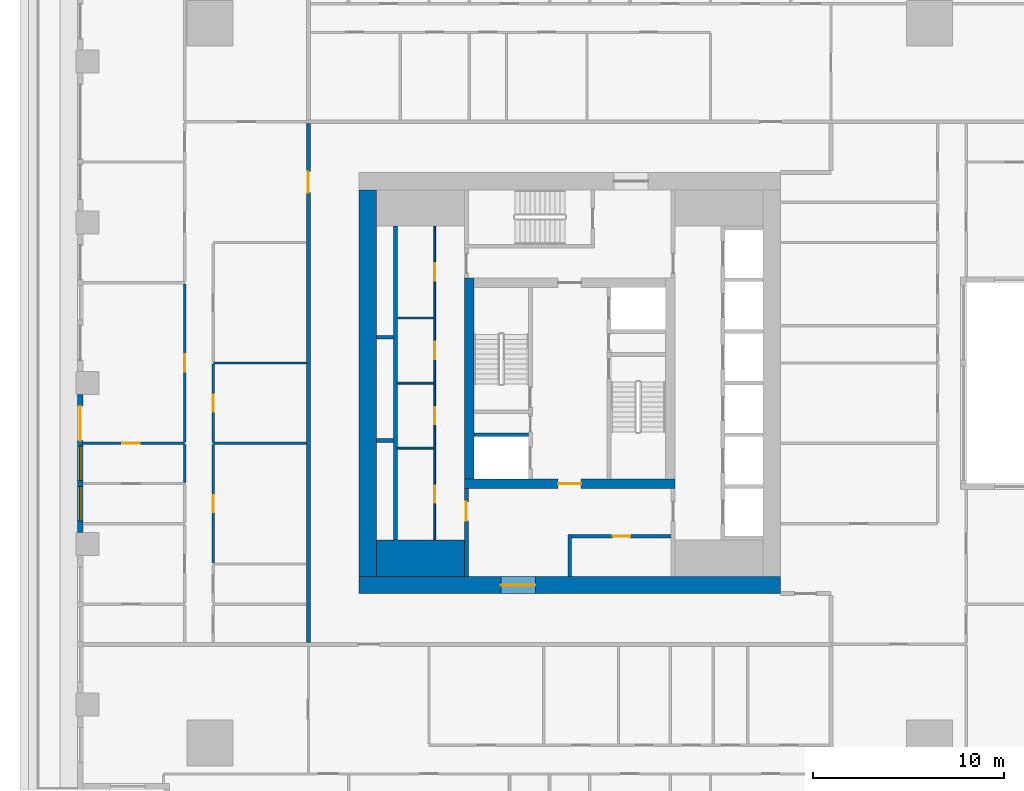
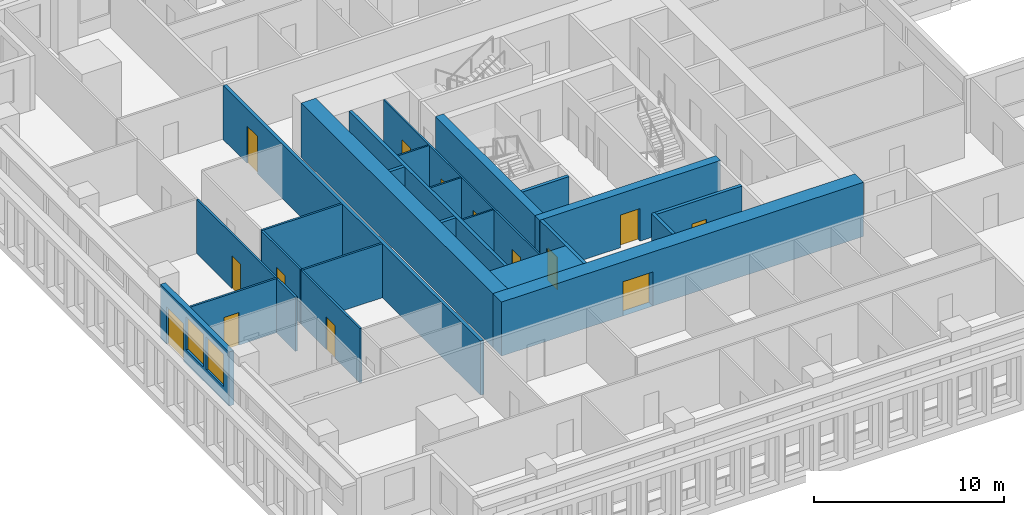
# One storey, part 3 of 15: 25 walls, 14 doors, 2 windows, 16 openings.
"""IFC4 building model written with IfcOpenShell, lengths in metres."""

from ifc_helpers import new_model, si_unit, direction, frame, frame_2d, origin, place, context, subcontext, project, spatial, rectangle, extrude, material, layer, layer_set, type_object, element, fill, save


model = new_model("IFC4")

# Units and contexts
model_context = context("Model", 3, precision=1e-05, world=origin(), true_north=direction((0.0, 1.0)))
body_context = subcontext(model_context, "Body", "Model", "MODEL_VIEW")
ifc_project = project(units=[si_unit("LENGTHUNIT", "METRE"), si_unit("AREAUNIT", "SQUARE_METRE"), si_unit("VOLUMEUNIT", "CUBIC_METRE"), si_unit("PLANEANGLEUNIT", "RADIAN"), si_unit("MASSUNIT", "GRAM", prefix="KILO")], contexts=[model_context])

# Site, building, storey
site_placement = place(None, origin())
site = spatial("IfcSite", under=ifc_project, at=site_placement, CompositionType="ELEMENT")
building_placement = place(site_placement, origin())
building = spatial("IfcBuilding", under=site, at=building_placement, Name="Khepri Terraces", CompositionType="ELEMENT")
storey_placement = place(building_placement, frame((0.0, 0.0, 200.10009765625)))
storey = spatial("IfcBuildingStorey", under=building, at=storey_placement, Name="L47", CompositionType="ELEMENT", Elevation=200.10009765625)

# Walls
ifc_material_1 = material(Name="Concrete C50/60", Category="concrete")
ifc_layer_1 = layer(ifc_material_1, 1.89990234375, Name="Concrete C50/60", Category="concrete")
ifc_layer_set_1 = layer_set([ifc_layer_1], Name="Concrete C50/60")
wall_type_1 = type_object("IfcWallType", Name="Core wall 1900 C50/60", PredefinedType="SHEAR", material=ifc_layer_set_1)
wall_1_placement = place(storey_placement, frame((-10.10009765625, -9.14990234375, 0.0), z_axis=(0.0, 0.0, 1.0), x_axis=(1.0, 0.0, 0.0)))
element("IfcWall", 1, at=wall_1_placement, inside=storey, type_object=wall_type_1, Name="Core wall PR01 L47", PredefinedType="SHEAR", context=body_context, shape_type="SweptSolid", body=[
    extrude(rectangle(XDim=4.60009765625, YDim=1.89990234375, at=frame_2d((2.300048828125, 0.0))), origin(), (0.0, 0.0, 1.0), 3.47998046875),
])
ifc_layer_2 = layer(ifc_material_1, 0.199951171875, Name="Concrete C50/60", Category="concrete")
ifc_layer_set_2 = layer_set([ifc_layer_2], Name="Concrete C50/60")
wall_type_2 = type_object("IfcWallType", Name="Core wall 200 C50/60", PredefinedType="SHEAR", material=ifc_layer_set_2)
wall_2_placement = place(storey_placement, frame((-9.10009765625, -8.199951171875, 0.0), z_axis=(0.0, 0.0, 1.0), x_axis=(0.0, 1.0, 0.0)))
element("IfcWall", 2, at=wall_2_placement, inside=storey, type_object=wall_type_2, Name="Core wall SH01 L47", PredefinedType="SHEAR", context=body_context, shape_type="SweptSolid", body=[
    extrude(rectangle(XDim=16.39990234375, YDim=0.199951171875, at=frame_2d((8.199951171875, 0.0))), origin(), (0.0, 0.0, 1.0), 3.47998046875),
])
wall_3_placement = place(storey_placement, frame((-10.10009765625, -3.0, 0.0), z_axis=(0.0, 0.0, 1.0), x_axis=(1.0, 0.0, 0.0)))
element("IfcWall", 3, at=wall_3_placement, inside=storey, type_object=wall_type_2, Name="Core wall SH06 L47", PredefinedType="SHEAR", context=body_context, shape_type="SweptSolid", body=[
    extrude(rectangle(XDim=0.900146484375, YDim=0.199951171875, at=frame_2d((0.4501953125, 0.0))), origin(), (0.0, 0.0, 1.0), 3.47998046875),
])
wall_4_placement = place(storey_placement, frame((-5.0, -2.699951171875, 0.0), z_axis=(0.0, 0.0, 1.0), x_axis=(1.0, 0.0, 0.0)))
element("IfcWall", 4, at=wall_4_placement, inside=storey, type_object=wall_type_2, Name="Core wall SH07 L47", PredefinedType="SHEAR", context=body_context, shape_type="SweptSolid", body=[
    extrude(rectangle(XDim=2.85009765625, YDim=0.199951171875, at=frame_2d((1.425048828125, 0.0))), origin(), (0.0, 0.0, 1.0), 3.47998046875),
])
wall_5_placement = place(storey_placement, frame((-10.10009765625, 2.39990234375, 0.0), z_axis=(0.0, 0.0, 1.0), x_axis=(1.0, 0.0, 0.0)))
element("IfcWall", 5, at=wall_5_placement, inside=storey, type_object=wall_type_2, Name="Core wall SH11 L47", PredefinedType="SHEAR", context=body_context, shape_type="SweptSolid", body=[
    extrude(rectangle(XDim=0.900146484375, YDim=0.199951171875, at=frame_2d((0.4501953125, 0.0))), origin(), (0.0, 0.0, 1.0), 3.47998046875),
])

# Wall, opening, door
ifc_layer_3 = layer(ifc_material_1, 0.5, Name="Concrete C50/60", Category="concrete")
ifc_layer_set_3 = layer_set([ifc_layer_3], Name="Concrete C50/60")
wall_type_3 = type_object("IfcWallType", Name="Core wall 500 C50/60", PredefinedType="SHEAR", material=ifc_layer_set_3)
wall_6_placement = place(storey_placement, frame((-5.5, -5.25, 0.0), z_axis=(0.0, 0.0, 1.0), x_axis=(1.0, 0.0, 0.0)))
wall_6 = element("IfcWall", 6, at=wall_6_placement, inside=storey, type_object=wall_type_3, Name="Core wall BX01 L47", PredefinedType="SHEAR", context=body_context, shape_type="SweptSolid", body=[
    extrude(rectangle(XDim=11.0, YDim=0.5, at=frame_2d((5.5, 0.0))), origin(), (0.0, 0.0, 1.0), 3.47998046875),
])
opening_1_placement = place(wall_6_placement, frame((4.89990234375, 0.0, 0.0)))
opening_1 = element("IfcOpeningElement", 7, at=opening_1_placement, cuts=wall_6, Name="Opening L47-C14", PredefinedType="OPENING", context=body_context, shape_type="SweptSolid", body=[
    extrude(rectangle(XDim=1.199951171875, YDim=2.10009765625, at=frame_2d((0.60009765625, 1.050048828125))), frame((0.0, 0.260009765625, 0.0), z_axis=(0.0, -1.0, 0.0), x_axis=(1.0, 0.0, 0.0)), (0.0, 0.0, 1.0), 0.52001953125),
])
ifc_material_2 = material(Name="Painted steel", Category="steel")
door_type_1 = type_object("IfcDoorType", Name="DR-CORE-FF-LOBBY-1200", OperationType="NOTDEFINED", PredefinedType="DOOR", material=ifc_material_2)
door_1_placement = place(opening_1_placement, origin())
door_1 = element("IfcDoor", 8, at=door_1_placement, inside=storey, type_object=door_type_1, Name="Firefighting lobby door L47-C14", OperationType="SINGLE_SWING_RIGHT", OverallHeight=2.10009765625, OverallWidth=1.199951171875, PredefinedType="DOOR", context=body_context, shape_type="SweptSolid", body=[
    extrude(rectangle(XDim=1.199951171875, YDim=2.10009765625, at=frame_2d((0.60009765625, 1.050048828125))), frame((0.0, 0.02490234375, 0.0), z_axis=(0.0, -1.0, 0.0), x_axis=(1.0, 0.0, 0.0)), (0.0, 0.0, 1.0), 0.050048828125),
])
fill(opening_1, door_1)

# Wall
wall_7_placement = place(storey_placement, frame((-5.25, -5.0, 0.0), z_axis=(0.0, 0.0, 1.0), x_axis=(0.0, 1.0, 0.0)))
element("IfcWall", 9, at=wall_7_placement, inside=storey, type_object=wall_type_3, Name="Core wall BX02 L47", PredefinedType="SHEAR", context=body_context, shape_type="SweptSolid", body=[
    extrude(rectangle(XDim=10.5, YDim=0.5, at=frame_2d((5.25, 0.0))), origin(), (0.0, 0.0, 1.0), 3.47998046875),
])

# Wall, opening, door
ifc_layer_4 = layer(ifc_material_1, 0.89990234375, Name="Concrete C50/60", Category="concrete")
ifc_layer_set_4 = layer_set([ifc_layer_4], Name="Concrete C50/60")
wall_type_4 = type_object("IfcWallType", Name="Core wall 900 C50/60", PredefinedType="SHEAR", material=ifc_layer_set_4)
wall_8_placement = place(storey_placement, frame((-11.0, -10.550048828125, 0.0), z_axis=(0.0, 0.0, 1.0), x_axis=(1.0, 0.0, 0.0)))
wall_8 = element("IfcWall", 10, at=wall_8_placement, inside=storey, type_object=wall_type_4, Name="Core wall OW-S L47", PredefinedType="SHEAR", context=body_context, shape_type="SweptSolid", body=[
    extrude(rectangle(XDim=22.0, YDim=0.89990234375, at=frame_2d((11.0, 0.0))), origin(), (0.0, 0.0, 1.0), 3.47998046875),
])
opening_2_placement = place(wall_8_placement, frame((7.39990234375, 0.0, 0.0)))
opening_2 = element("IfcOpeningElement", 11, at=opening_2_placement, cuts=wall_8, Name="Opening L47-C21", PredefinedType="OPENING", context=body_context, shape_type="SweptSolid", body=[
    extrude(rectangle(XDim=1.800048828125, YDim=2.199951171875, at=frame_2d((0.89990234375, 1.10009765625))), frame((0.0, 0.4599609375, 0.0), z_axis=(0.0, -1.0, 0.0), x_axis=(1.0, 0.0, 0.0)), (0.0, 0.0, 1.0), 0.919921875),
])
door_type_2 = type_object("IfcDoorType", Name="DR-CORE-ENTRANCE-1800", OperationType="NOTDEFINED", PredefinedType="DOOR", material=ifc_material_2)
door_2_placement = place(opening_2_placement, frame((1.800048828125, 0.0, 0.0), z_axis=(0.0, 0.0, 1.0), x_axis=(-1.0, 0.0, 0.0)))
door_2 = element("IfcDoor", 12, at=door_2_placement, inside=storey, type_object=door_type_2, Name="Core entrance door pair L47-C21", OperationType="DOUBLE_DOOR_SINGLE_SWING", OverallHeight=2.199951171875, OverallWidth=1.800048828125, PredefinedType="DOOR", context=body_context, shape_type="SweptSolid", body=[
    extrude(rectangle(XDim=1.800048828125, YDim=2.199951171875, at=frame_2d((0.89990234375, 1.10009765625))), frame((0.0, 0.02490234375, 0.0), z_axis=(0.0, -1.0, 0.0), x_axis=(1.0, 0.0, 0.0)), (0.0, 0.0, 1.0), 0.050048828125),
])
fill(opening_2, door_2)

# Wall
wall_9_placement = place(storey_placement, frame((-10.550048828125, -10.10009765625, 0.0), z_axis=(0.0, 0.0, 1.0), x_axis=(0.0, 1.0, 0.0)))
element("IfcWall", 13, at=wall_9_placement, inside=storey, type_object=wall_type_4, Name="Core wall OW-W L47", PredefinedType="SHEAR", context=body_context, shape_type="SweptSolid", body=[
    extrude(rectangle(XDim=20.2001953125, YDim=0.89990234375, at=frame_2d((10.10009765625, 0.0))), origin(), (0.0, 0.0, 1.0), 3.47998046875),
])

# Wall, openings, doors
ifc_material_3 = material(Name="Fire-rated gypsum board partition")
ifc_layer_5 = layer(ifc_material_3, 0.10009765625, Name="Fire-rated gypsum board partition")
ifc_layer_set_5 = layer_set([ifc_layer_5], Name="Fire-rated gypsum board partition")
wall_type_5 = type_object("IfcWallType", Name="WL-CORE-PART-100", PredefinedType="PARTITIONING", material=ifc_layer_set_5)
wall_10_placement = place(storey_placement, frame((-7.050048828125, -8.199951171875, 0.0), z_axis=(0.0, 0.0, 1.0), x_axis=(0.0, 1.0, 0.0)))
wall_10 = element("IfcWall", 14, at=wall_10_placement, inside=storey, type_object=wall_type_5, Name="Core partition PT04 L47", PredefinedType="PARTITIONING", context=body_context, shape_type="SweptSolid", body=[
    extrude(rectangle(XDim=16.39990234375, YDim=0.10009765625, at=frame_2d((8.199951171875, 0.0))), origin(), (0.0, 0.0, 1.0), 3.47998046875),
])
opening_3_placement = place(wall_10_placement, frame((1.949951171875, 0.0, 0.0)))
opening_3 = element("IfcOpeningElement", 15, at=opening_3_placement, cuts=wall_10, Name="Opening L47-C23", PredefinedType="OPENING", context=body_context, shape_type="SweptSolid", body=[
    extrude(rectangle(XDim=0.89990234375, YDim=2.10009765625, at=frame_2d((0.449951171875, 1.050048828125))), frame((0.0, 0.06005859375, 0.0), z_axis=(0.0, -1.0, 0.0), x_axis=(1.0, 0.0, 0.0)), (0.0, 0.0, 1.0), 0.1201171875),
])
opening_4_placement = place(wall_10_placement, frame((6.050048828125, 0.0, 0.0)))
opening_4 = element("IfcOpeningElement", 16, at=opening_4_placement, cuts=wall_10, Name="Opening L47-C24", PredefinedType="OPENING", context=body_context, shape_type="SweptSolid", body=[
    extrude(rectangle(XDim=0.89990234375, YDim=2.10009765625, at=frame_2d((0.449951171875, 1.050048828125))), frame((0.0, 0.06005859375, 0.0), z_axis=(0.0, -1.0, 0.0), x_axis=(1.0, 0.0, 0.0)), (0.0, 0.0, 1.0), 0.1201171875),
])
opening_5_placement = place(wall_10_placement, frame((9.449951171875, 0.0, 0.0)))
opening_5 = element("IfcOpeningElement", 17, at=opening_5_placement, cuts=wall_10, Name="Opening L47-C25", PredefinedType="OPENING", context=body_context, shape_type="SweptSolid", body=[
    extrude(rectangle(XDim=0.89990234375, YDim=2.10009765625, at=frame_2d((0.449951171875, 1.050048828125))), frame((0.0, 0.06005859375, 0.0), z_axis=(0.0, -1.0, 0.0), x_axis=(1.0, 0.0, 0.0)), (0.0, 0.0, 1.0), 0.1201171875),
])
opening_6_placement = place(wall_10_placement, frame((13.550048828125, 0.0, 0.0)))
opening_6 = element("IfcOpeningElement", 18, at=opening_6_placement, cuts=wall_10, Name="Opening L47-C26", PredefinedType="OPENING", context=body_context, shape_type="SweptSolid", body=[
    extrude(rectangle(XDim=0.89990234375, YDim=2.10009765625, at=frame_2d((0.449951171875, 1.050048828125))), frame((0.0, 0.06005859375, 0.0), z_axis=(0.0, -1.0, 0.0), x_axis=(1.0, 0.0, 0.0)), (0.0, 0.0, 1.0), 0.1201171875),
])
door_type_3 = type_object("IfcDoorType", Name="DR-CORE-SERVICE-900", OperationType="NOTDEFINED", PredefinedType="DOOR", material=ifc_material_2)
door_3_placement = place(opening_3_placement, origin())
door_3 = element("IfcDoor", 19, at=door_3_placement, inside=storey, type_object=door_type_3, Name="Service room door L47-C23", OperationType="SINGLE_SWING_LEFT", OverallHeight=2.10009765625, OverallWidth=0.89990234375, PredefinedType="DOOR", context=body_context, shape_type="SweptSolid", body=[
    extrude(rectangle(XDim=0.89990234375, YDim=2.10009765625, at=frame_2d((0.449951171875, 1.050048828125))), frame((0.0, 0.02490234375, 0.0), z_axis=(0.0, -1.0, 0.0), x_axis=(1.0, 0.0, 0.0)), (0.0, 0.0, 1.0), 0.050048828125),
])
fill(opening_3, door_3)
door_4_placement = place(opening_4_placement, origin())
door_4 = element("IfcDoor", 20, at=door_4_placement, inside=storey, type_object=door_type_3, Name="Service room door L47-C24", OperationType="SINGLE_SWING_LEFT", OverallHeight=2.10009765625, OverallWidth=0.89990234375, PredefinedType="DOOR", context=body_context, shape_type="SweptSolid", body=[
    extrude(rectangle(XDim=0.89990234375, YDim=2.10009765625, at=frame_2d((0.449951171875, 1.050048828125))), frame((0.0, 0.02490234375, 0.0), z_axis=(0.0, -1.0, 0.0), x_axis=(1.0, 0.0, 0.0)), (0.0, 0.0, 1.0), 0.050048828125),
])
fill(opening_4, door_4)
door_5_placement = place(opening_5_placement, origin())
door_5 = element("IfcDoor", 21, at=door_5_placement, inside=storey, type_object=door_type_3, Name="Service room door L47-C25", OperationType="SINGLE_SWING_RIGHT", OverallHeight=2.10009765625, OverallWidth=0.89990234375, PredefinedType="DOOR", context=body_context, shape_type="SweptSolid", body=[
    extrude(rectangle(XDim=0.89990234375, YDim=2.10009765625, at=frame_2d((0.449951171875, 1.050048828125))), frame((0.0, 0.02490234375, 0.0), z_axis=(0.0, -1.0, 0.0), x_axis=(1.0, 0.0, 0.0)), (0.0, 0.0, 1.0), 0.050048828125),
])
fill(opening_5, door_5)
door_6_placement = place(opening_6_placement, origin())
door_6 = element("IfcDoor", 22, at=door_6_placement, inside=storey, type_object=door_type_3, Name="Service room door L47-C26", OperationType="SINGLE_SWING_RIGHT", OverallHeight=2.10009765625, OverallWidth=0.89990234375, PredefinedType="DOOR", context=body_context, shape_type="SweptSolid", body=[
    extrude(rectangle(XDim=0.89990234375, YDim=2.10009765625, at=frame_2d((0.449951171875, 1.050048828125))), frame((0.0, 0.02490234375, 0.0), z_axis=(0.0, -1.0, 0.0), x_axis=(1.0, 0.0, 0.0)), (0.0, 0.0, 1.0), 0.050048828125),
])
fill(opening_6, door_6)

# Walls
for number, where, z_axis, x_axis, name in (
    (23, (-9.0, -3.39990234375, 0.0), (0.0, 0.0, 1.0), (1.0, 0.0, 0.0), "Core partition PT06 L47"),
    (24, (-9.0, 0.0, 0.0), (0.0, 0.0, 1.0), (1.0, 0.0, 0.0), "Core partition PT07 L47"),
    (25, (-9.0, 3.39990234375, 0.0), (0.0, 0.0, 1.0), (1.0, 0.0, 0.0), "Core partition PT08 L47"),
):
    element("IfcWall", number, at=place(storey_placement, frame(where, z_axis=z_axis, x_axis=x_axis)), inside=storey, type_object=wall_type_5, Name=name, PredefinedType="PARTITIONING", context=body_context, shape_type="SweptSolid", body=[
        extrude(rectangle(XDim=1.89990234375, YDim=0.10009765625, at=frame_2d((0.949951171875, 0.0))), origin(), (0.0, 0.0, 1.0), 3.47998046875),
    ])

# Wall, opening, door
ifc_layer_6 = layer(ifc_material_3, 0.199951171875, Name="Fire-rated gypsum board partition")
ifc_layer_set_6 = layer_set([ifc_layer_6], Name="Fire-rated gypsum board partition")
wall_type_6 = type_object("IfcWallType", Name="WL-CORE-PART-200", PredefinedType="PARTITIONING", material=ifc_layer_set_6)
wall_11_placement = place(storey_placement, frame((-5.39990234375, -10.10009765625, 0.0), z_axis=(0.0, 0.0, 1.0), x_axis=(0.0, 1.0, 0.0)))
wall_11 = element("IfcWall", 26, at=wall_11_placement, inside=storey, type_object=wall_type_6, Name="Core partition PT01 L47", PredefinedType="PARTITIONING", context=body_context, shape_type="SweptSolid", body=[
    extrude(rectangle(XDim=4.60009765625, YDim=0.199951171875, at=frame_2d((2.300048828125, 0.0))), origin(), (0.0, 0.0, 1.0), 3.47998046875),
])
opening_7_placement = place(wall_11_placement, frame((2.89990234375, 0.0, 0.0)))
opening_7 = element("IfcOpeningElement", 27, at=opening_7_placement, cuts=wall_11, Name="Opening L47-C18", PredefinedType="OPENING", context=body_context, shape_type="SweptSolid", body=[
    extrude(rectangle(XDim=1.0, YDim=2.10009765625, at=frame_2d((0.5, 1.050048828125))), frame((0.0, 0.10986328125, 0.0), z_axis=(0.0, -1.0, 0.0), x_axis=(1.0, 0.0, 0.0)), (0.0, 0.0, 1.0), 0.219970703125),
])
door_type_4 = type_object("IfcDoorType", Name="DR-CORE-LOBBY-1000", OperationType="NOTDEFINED", PredefinedType="DOOR", material=ifc_material_2)
door_7_placement = place(opening_7_placement, frame((1.0, 0.0, 0.0), z_axis=(0.0, 0.0, 1.0), x_axis=(-1.0, 0.0, 0.0)))
door_7 = element("IfcDoor", 28, at=door_7_placement, inside=storey, type_object=door_type_4, Name="Lobby door L47-C18", OperationType="SINGLE_SWING_LEFT", OverallHeight=2.10009765625, OverallWidth=1.0, PredefinedType="DOOR", context=body_context, shape_type="SweptSolid", body=[
    extrude(rectangle(XDim=1.0, YDim=2.10009765625, at=frame_2d((0.5, 1.050048828125))), frame((0.0, 0.02490234375, 0.0), z_axis=(0.0, -1.0, 0.0), x_axis=(1.0, 0.0, 0.0)), (0.0, 0.0, 1.0), 0.050048828125),
])
fill(opening_7, door_7)

# Wall
wall_12_placement = place(storey_placement, frame((0.0, -10.10009765625, 0.0), z_axis=(0.0, 0.0, 1.0), x_axis=(0.0, 1.0, 0.0)))
element("IfcWall", 29, at=wall_12_placement, inside=storey, type_object=wall_type_6, Name="Core partition PT02 L47", PredefinedType="PARTITIONING", context=body_context, shape_type="SweptSolid", body=[
    extrude(rectangle(XDim=2.2001953125, YDim=0.199951171875, at=frame_2d((1.10009765625, 0.0))), origin(), (0.0, 0.0, 1.0), 3.47998046875),
])

# Wall, opening, door
wall_13_placement = place(storey_placement, frame((0.10009765625, -8.0, 0.0), z_axis=(0.0, 0.0, 1.0), x_axis=(1.0, 0.0, 0.0)))
wall_13 = element("IfcWall", 30, at=wall_13_placement, inside=storey, type_object=wall_type_6, Name="Core partition PT05 L47", PredefinedType="PARTITIONING", context=body_context, shape_type="SweptSolid", body=[
    extrude(rectangle(XDim=5.199951171875, YDim=0.199951171875, at=frame_2d((2.60009765625, 0.0))), origin(), (0.0, 0.0, 1.0), 3.47998046875),
])
opening_8_placement = place(wall_13_placement, frame((2.14990234375, 0.0, 0.0)))
opening_8 = element("IfcOpeningElement", 31, at=opening_8_placement, cuts=wall_13, Name="Opening L47-C22", PredefinedType="OPENING", context=body_context, shape_type="SweptSolid", body=[
    extrude(rectangle(XDim=0.89990234375, YDim=2.10009765625, at=frame_2d((0.449951171875, 1.050048828125))), frame((0.0, 0.10986328125, 0.0), z_axis=(0.0, -1.0, 0.0), x_axis=(1.0, 0.0, 0.0)), (0.0, 0.0, 1.0), 0.219970703125),
])
door_8_placement = place(opening_8_placement, frame((0.89990234375, 0.0, 0.0), z_axis=(0.0, 0.0, 1.0), x_axis=(-1.0, 0.0, 0.0)))
door_8 = element("IfcDoor", 32, at=door_8_placement, inside=storey, type_object=door_type_3, Name="Service room door L47-C22", OperationType="SINGLE_SWING_LEFT", OverallHeight=2.10009765625, OverallWidth=0.89990234375, PredefinedType="DOOR", context=body_context, shape_type="SweptSolid", body=[
    extrude(rectangle(XDim=0.89990234375, YDim=2.10009765625, at=frame_2d((0.449951171875, 1.050048828125))), frame((0.0, 0.02490234375, 0.0), z_axis=(0.0, -1.0, 0.0), x_axis=(1.0, 0.0, 0.0)), (0.0, 0.0, 1.0), 0.050048828125),
])
fill(opening_8, door_8)

ifc_material_4 = material(Name="Fire-rated gypsum plasterboard partition, mineral wool")
ifc_layer_7 = layer(ifc_material_4, 0.199951171875, Name="Fire-rated gypsum plasterboard partition, mineral wool")
ifc_layer_set_7 = layer_set([ifc_layer_7], Name="Fire-rated gypsum plasterboard partition, mineral wool")
wall_type_7 = type_object("IfcWallType", Name="WL-CORR-200", PredefinedType="PARTITIONING", material=ifc_layer_set_7)
wall_14_placement = place(storey_placement, frame((-13.64990234375, -13.550048828125, 0.0), z_axis=(0.0, 0.0, 1.0), x_axis=(0.0, 1.0, 0.0)))
wall_14 = element("IfcWall", 33, at=wall_14_placement, inside=storey, type_object=wall_type_7, Name="Partition P-025 L47", PredefinedType="PARTITIONING", context=body_context, shape_type="SweptSolid", body=[
    extrude(rectangle(XDim=27.10009765625, YDim=0.199951171875, at=frame_2d((13.550048828125, 0.0))), origin(), (0.0, 0.0, 1.0), 3.47998046875),
])
opening_9_placement = place(wall_14_placement, frame((23.5, 0.0, 0.0)))
opening_9 = element("IfcOpeningElement", 34, at=opening_9_placement, cuts=wall_14, Name="Opening D1", PredefinedType="OPENING", context=body_context, shape_type="SweptSolid", body=[
    extrude(rectangle(XDim=1.10009765625, YDim=2.39990234375, at=frame_2d((0.550048828125, 1.199951171875))), frame((0.0, 0.10986328125, 0.0), z_axis=(0.0, -1.0, 0.0), x_axis=(1.0, 0.0, 0.0)), (0.0, 0.0, 1.0), 0.219970703125),
])
ifc_material_5 = material(Name="Solid-core timber door leaf, flat entrance door", Category="wood")
door_type_5 = type_object("IfcDoorType", Name="DR-ENT-1100", OperationType="NOTDEFINED", PredefinedType="DOOR", material=ifc_material_5)
door_9_placement = place(opening_9_placement, origin())
door_9 = element("IfcDoor", 35, at=door_9_placement, inside=storey, type_object=door_type_5, Name="Flat D1 entrance door", OperationType="SINGLE_SWING_RIGHT", OverallHeight=2.39990234375, OverallWidth=1.10009765625, PredefinedType="DOOR", context=body_context, shape_type="SweptSolid", body=[
    extrude(rectangle(XDim=1.10009765625, YDim=2.39990234375, at=frame_2d((0.550048828125, 1.199951171875))), frame((0.0, 0.02490234375, 0.0), z_axis=(0.0, -1.0, 0.0), x_axis=(1.0, 0.0, 0.0)), (0.0, 0.0, 1.0), 0.050048828125),
])
fill(opening_9, door_9)

# Wall, openings, door, windows
ifc_material_6 = material(Name="Precast concrete C50/60 warm stone", Category="masonry")
ifc_layer_8 = layer(ifc_material_6, 0.300048828125, Name="Precast concrete C50/60 warm stone", Category="masonry")
ifc_layer_set_8 = layer_set([ifc_layer_8], Name="Precast concrete C50/60 warm stone")
wall_type_8 = type_object("IfcWallType", Name="WL-EXT-PRECAST-300", PredefinedType="STANDARD", material=ifc_layer_set_8)
wall_15_placement = place(storey_placement, frame((-25.570068359375, -0.60009765625, 0.0), z_axis=(0.0, 0.0, 1.0), x_axis=(0.0, -1.0, 0.0)))
wall_15 = element("IfcWall", 36, at=wall_15_placement, inside=storey, type_object=wall_type_8, Name="External wall L47 W", PredefinedType="STANDARD", context=body_context, shape_type="SweptSolid", body=[
    extrude(rectangle(XDim=7.199951171875, YDim=0.300048828125, at=frame_2d((3.60009765625, 0.0))), origin(), (0.0, 0.0, 1.0), 3.47998046875),
])
opening_10_placement = place(wall_15_placement, frame((0.60009765625, 0.0, 0.0)))
opening_10 = element("IfcOpeningElement", 37, at=opening_10_placement, cuts=wall_15, Name="Opening ED-L47-14", PredefinedType="OPENING", context=body_context, shape_type="SweptSolid", body=[
    extrude(rectangle(XDim=1.800048828125, YDim=2.39990234375, at=frame_2d((0.89990234375, 1.199951171875))), frame((0.0, 0.16015625, 0.0), z_axis=(0.0, -1.0, 0.0), x_axis=(1.0, 0.0, 0.0)), (0.0, 0.0, 1.0), 0.320068359375),
])
opening_11_placement = place(wall_15_placement, frame((2.699951171875, 0.0, 0.89990234375)))
opening_11 = element("IfcOpeningElement", 38, at=opening_11_placement, cuts=wall_15, Name="Opening W1", PredefinedType="OPENING", context=body_context, shape_type="SweptSolid", body=[
    extrude(rectangle(XDim=1.800048828125, YDim=2.10009765625, at=frame_2d((0.89990234375, 1.050048828125))), frame((0.0, 0.16015625, 0.0), z_axis=(0.0, -1.0, 0.0), x_axis=(1.0, 0.0, 0.0)), (0.0, 0.0, 1.0), 0.320068359375),
])
opening_12_placement = place(wall_15_placement, frame((4.800048828125, 0.0, 0.89990234375)))
opening_12 = element("IfcOpeningElement", 39, at=opening_12_placement, cuts=wall_15, Name="Opening W1", PredefinedType="OPENING", context=body_context, shape_type="SweptSolid", body=[
    extrude(rectangle(XDim=1.800048828125, YDim=2.10009765625, at=frame_2d((0.89990234375, 1.050048828125))), frame((0.0, 0.16015625, 0.0), z_axis=(0.0, -1.0, 0.0), x_axis=(1.0, 0.0, 0.0)), (0.0, 0.0, 1.0), 0.320068359375),
])
ifc_material_7 = material(Name="Anodised aluminium bronze glazed door", Category="aluminium")
door_type_6 = type_object("IfcDoorType", Name="DR-BAL-SLIDE-1800x2400", OperationType="NOTDEFINED", PredefinedType="DOOR", material=ifc_material_7)
door_10_placement = place(opening_10_placement, origin())
door_10 = element("IfcDoor", 40, at=door_10_placement, inside=storey, type_object=door_type_6, Name="Balcony door L47 W", OperationType="SLIDING_TO_LEFT", OverallHeight=2.39990234375, OverallWidth=1.800048828125, PredefinedType="DOOR", context=body_context, shape_type="SweptSolid", body=[
    extrude(rectangle(XDim=1.800048828125, YDim=2.39990234375, at=frame_2d((0.89990234375, 1.199951171875))), frame((0.0, 0.02490234375, 0.0), z_axis=(0.0, -1.0, 0.0), x_axis=(1.0, 0.0, 0.0)), (0.0, 0.0, 1.0), 0.050048828125),
])
fill(opening_10, door_10)
ifc_material_8 = material(Name="Clear glass", Category="glass")
window_type = type_object("IfcWindowType", Name="WIN-RES-1800x2100", PartitioningType="SINGLE_PANEL", PredefinedType="WINDOW", material=ifc_material_8)
window_1_placement = place(opening_11_placement, origin())
window_1 = element("IfcWindow", 41, at=window_1_placement, inside=storey, type_object=window_type, Name="Window L47 W", OverallHeight=2.10009765625, OverallWidth=1.800048828125, PartitioningType="SINGLE_PANEL", PredefinedType="WINDOW", context=body_context, shape_type="SweptSolid", body=[
    extrude(rectangle(XDim=1.800048828125, YDim=2.10009765625, at=frame_2d((0.89990234375, 1.050048828125))), frame((0.0, 0.030029296875, 0.0), z_axis=(0.0, -1.0, 0.0), x_axis=(1.0, 0.0, 0.0)), (0.0, 0.0, 1.0), 0.06005859375),
])
fill(opening_11, window_1)
window_2_placement = place(opening_12_placement, origin())
window_2 = element("IfcWindow", 42, at=window_2_placement, inside=storey, type_object=window_type, Name="Window L47 W", OverallHeight=2.10009765625, OverallWidth=1.800048828125, PartitioningType="SINGLE_PANEL", PredefinedType="WINDOW", context=body_context, shape_type="SweptSolid", body=[
    extrude(rectangle(XDim=1.800048828125, YDim=2.10009765625, at=frame_2d((0.89990234375, 1.050048828125))), frame((0.0, 0.030029296875, 0.0), z_axis=(0.0, -1.0, 0.0), x_axis=(1.0, 0.0, 0.0)), (0.0, 0.0, 1.0), 0.06005859375),
])
fill(opening_12, window_2)

# Wall, opening, door
ifc_material_9 = material(Name="Gypsum plasterboard partition")
ifc_layer_9 = layer(ifc_material_9, 0.1201171875, Name="Gypsum plasterboard partition")
ifc_layer_set_9 = layer_set([ifc_layer_9], Name="Gypsum plasterboard partition")
wall_type_9 = type_object("IfcWallType", Name="WL-PART-120", PredefinedType="PARTITIONING", material=ifc_layer_set_9)
wall_16_placement = place(storey_placement, frame((-18.6201171875, -9.389892578125, 0.0), z_axis=(0.0, 0.0, 1.0), x_axis=(0.0, 1.0, 0.0)))
wall_16 = element("IfcWall", 43, at=wall_16_placement, inside=storey, type_object=wall_type_9, Name="Partition P-035 L47", PredefinedType="PARTITIONING", context=body_context, shape_type="SweptSolid", body=[
    extrude(rectangle(XDim=6.179931640625, YDim=0.1201171875, at=frame_2d((3.08984375, 0.0))), origin(), (0.0, 0.0, 1.0), 3.47998046875),
])
opening_13_placement = place(wall_16_placement, frame((2.639892578125, 0.0, 0.0)))
opening_13 = element("IfcOpeningElement", 44, at=opening_13_placement, cuts=wall_16, Name="Opening D3", PredefinedType="OPENING", context=body_context, shape_type="SweptSolid", body=[
    extrude(rectangle(XDim=0.89990234375, YDim=2.10009765625, at=frame_2d((0.449951171875, 1.050048828125))), frame((0.0, 0.070068359375, 0.0), z_axis=(0.0, -1.0, 0.0), x_axis=(1.0, 0.0, 0.0)), (0.0, 0.0, 1.0), 0.14013671875),
])
ifc_material_10 = material(Name="Timber door leaf", Category="wood")
door_type_7 = type_object("IfcDoorType", Name="DR-INT-900", OperationType="NOTDEFINED", PredefinedType="DOOR", material=ifc_material_10)
door_11_placement = place(opening_13_placement, frame((0.89990234375, 0.0, 0.0), z_axis=(0.0, 0.0, 1.0), x_axis=(-1.0, 0.0, 0.0)))
door_11 = element("IfcDoor", 45, at=door_11_placement, inside=storey, type_object=door_type_7, Name="Door Staff Bedroom", OperationType="SINGLE_SWING_LEFT", OverallHeight=2.10009765625, OverallWidth=0.89990234375, PredefinedType="DOOR", context=body_context, shape_type="SweptSolid", body=[
    extrude(rectangle(XDim=0.89990234375, YDim=2.10009765625, at=frame_2d((0.449951171875, 1.050048828125))), frame((0.0, 0.02490234375, 0.0), z_axis=(0.0, -1.0, 0.0), x_axis=(1.0, 0.0, 0.0)), (0.0, 0.0, 1.0), 0.050048828125),
])
fill(opening_13, door_11)

# Wall
wall_17_placement = place(storey_placement, frame((-20.1201171875, -5.18994140625, 0.0), z_axis=(0.0, 0.0, 1.0), x_axis=(0.0, 1.0, 0.0)))
element("IfcWall", 46, at=wall_17_placement, inside=storey, type_object=wall_type_9, Name="Partition P-041 L47", PredefinedType="PARTITIONING", context=body_context, shape_type="SweptSolid", body=[
    extrude(rectangle(XDim=1.97998046875, YDim=0.1201171875, at=frame_2d((0.989990234375, 0.0))), origin(), (0.0, 0.0, 1.0), 3.47998046875),
])

# Wall, opening, door
wall_18_placement = place(storey_placement, frame((-25.419921875, -3.14990234375, 0.0), z_axis=(0.0, 0.0, 1.0), x_axis=(1.0, 0.0, 0.0)))
wall_18 = element("IfcWall", 47, at=wall_18_placement, inside=storey, type_object=wall_type_9, Name="Partition P-042 L47", PredefinedType="PARTITIONING", context=body_context, shape_type="SweptSolid", body=[
    extrude(rectangle(XDim=5.2998046875, YDim=0.1201171875, at=frame_2d((2.64990234375, 0.0))), origin(), (0.0, 0.0, 1.0), 3.47998046875),
])
opening_14_placement = place(wall_18_placement, frame((2.050048828125, 0.0, 0.0)))
opening_14 = element("IfcOpeningElement", 48, at=opening_14_placement, cuts=wall_18, Name="Opening D3", PredefinedType="OPENING", context=body_context, shape_type="SweptSolid", body=[
    extrude(rectangle(XDim=0.89990234375, YDim=2.10009765625, at=frame_2d((0.449951171875, 1.050048828125))), frame((0.0, 0.070068359375, 0.0), z_axis=(0.0, -1.0, 0.0), x_axis=(1.0, 0.0, 0.0)), (0.0, 0.0, 1.0), 0.14013671875),
])
door_12_placement = place(opening_14_placement, frame((0.89990234375, 0.0, 0.0), z_axis=(0.0, 0.0, 1.0), x_axis=(-1.0, 0.0, 0.0)))
door_12 = element("IfcDoor", 49, at=door_12_placement, inside=storey, type_object=door_type_7, Name="Door Dressing Room", OperationType="SINGLE_SWING_RIGHT", OverallHeight=2.10009765625, OverallWidth=0.89990234375, PredefinedType="DOOR", context=body_context, shape_type="SweptSolid", body=[
    extrude(rectangle(XDim=0.89990234375, YDim=2.10009765625, at=frame_2d((0.449951171875, 1.050048828125))), frame((0.0, 0.02490234375, 0.0), z_axis=(0.0, -1.0, 0.0), x_axis=(1.0, 0.0, 0.0)), (0.0, 0.0, 1.0), 0.050048828125),
])
fill(opening_14, door_12)

# Wall
wall_19_placement = place(storey_placement, frame((-18.6201171875, -3.14990234375, 0.0), z_axis=(0.0, 0.0, 1.0), x_axis=(1.0, 0.0, 0.0)))
element("IfcWall", 50, at=wall_19_placement, inside=storey, type_object=wall_type_9, Name="Partition P-043 L47", PredefinedType="PARTITIONING", context=body_context, shape_type="SweptSolid", body=[
    extrude(rectangle(XDim=4.8701171875, YDim=0.1201171875, at=frame_2d((2.43505859375, 0.0))), origin(), (0.0, 0.0, 1.0), 3.47998046875),
])

# Wall, opening, door
wall_20_placement = place(storey_placement, frame((-20.1201171875, -3.090087890625, 0.0), z_axis=(0.0, 0.0, 1.0), x_axis=(0.0, 1.0, 0.0)))
wall_20 = element("IfcWall", 51, at=wall_20_placement, inside=storey, type_object=wall_type_9, Name="Partition P-045 L47", PredefinedType="PARTITIONING", context=body_context, shape_type="SweptSolid", body=[
    extrude(rectangle(XDim=8.280029296875, YDim=0.1201171875, at=frame_2d((4.14013671875, 0.0))), origin(), (0.0, 0.0, 1.0), 3.47998046875),
])
opening_15_placement = place(wall_20_placement, frame((3.68994140625, 0.0, 0.0)))
opening_15 = element("IfcOpeningElement", 52, at=opening_15_placement, cuts=wall_20, Name="Opening D3", PredefinedType="OPENING", context=body_context, shape_type="SweptSolid", body=[
    extrude(rectangle(XDim=0.89990234375, YDim=2.10009765625, at=frame_2d((0.449951171875, 1.050048828125))), frame((0.0, 0.070068359375, 0.0), z_axis=(0.0, -1.0, 0.0), x_axis=(1.0, 0.0, 0.0)), (0.0, 0.0, 1.0), 0.14013671875),
])
door_13_placement = place(opening_15_placement, origin())
door_13 = element("IfcDoor", 53, at=door_13_placement, inside=storey, type_object=door_type_7, Name="Door Master Bedroom", OperationType="SINGLE_SWING_LEFT", OverallHeight=2.10009765625, OverallWidth=0.89990234375, PredefinedType="DOOR", context=body_context, shape_type="SweptSolid", body=[
    extrude(rectangle(XDim=0.89990234375, YDim=2.10009765625, at=frame_2d((0.449951171875, 1.050048828125))), frame((0.0, 0.02490234375, 0.0), z_axis=(0.0, -1.0, 0.0), x_axis=(1.0, 0.0, 0.0)), (0.0, 0.0, 1.0), 0.050048828125),
])
fill(opening_15, door_13)

wall_21_placement = place(storey_placement, frame((-18.6201171875, -3.090087890625, 0.0), z_axis=(0.0, 0.0, 1.0), x_axis=(0.0, 1.0, 0.0)))
wall_21 = element("IfcWall", 54, at=wall_21_placement, inside=storey, type_object=wall_type_9, Name="Partition P-046 L47", PredefinedType="PARTITIONING", context=body_context, shape_type="SweptSolid", body=[
    extrude(rectangle(XDim=4.080078125, YDim=0.1201171875, at=frame_2d((2.0400390625, 0.0))), origin(), (0.0, 0.0, 1.0), 3.47998046875),
])
opening_16_placement = place(wall_21_placement, frame((1.590087890625, 0.0, 0.0)))
opening_16 = element("IfcOpeningElement", 55, at=opening_16_placement, cuts=wall_21, Name="Opening D3", PredefinedType="OPENING", context=body_context, shape_type="SweptSolid", body=[
    extrude(rectangle(XDim=0.89990234375, YDim=2.10009765625, at=frame_2d((0.449951171875, 1.050048828125))), frame((0.0, 0.070068359375, 0.0), z_axis=(0.0, -1.0, 0.0), x_axis=(1.0, 0.0, 0.0)), (0.0, 0.0, 1.0), 0.14013671875),
])
door_14_placement = place(opening_16_placement, frame((0.89990234375, 0.0, 0.0), z_axis=(0.0, 0.0, 1.0), x_axis=(-1.0, 0.0, 0.0)))
door_14 = element("IfcDoor", 56, at=door_14_placement, inside=storey, type_object=door_type_7, Name="Door Service Kitchen", OperationType="SINGLE_SWING_LEFT", OverallHeight=2.10009765625, OverallWidth=0.89990234375, PredefinedType="DOOR", context=body_context, shape_type="SweptSolid", body=[
    extrude(rectangle(XDim=0.89990234375, YDim=2.10009765625, at=frame_2d((0.449951171875, 1.050048828125))), frame((0.0, 0.02490234375, 0.0), z_axis=(0.0, -1.0, 0.0), x_axis=(1.0, 0.0, 0.0)), (0.0, 0.0, 1.0), 0.050048828125),
])
fill(opening_16, door_14)

# Wall
wall_22_placement = place(storey_placement, frame((-18.6201171875, 1.050048828125, 0.0), z_axis=(0.0, 0.0, 1.0), x_axis=(1.0, 0.0, 0.0)))
element("IfcWall", 57, at=wall_22_placement, inside=storey, type_object=wall_type_9, Name="Partition P-048 L47", PredefinedType="PARTITIONING", context=body_context, shape_type="SweptSolid", body=[
    extrude(rectangle(XDim=4.8701171875, YDim=0.1201171875, at=frame_2d((2.43505859375, 0.0))), origin(), (0.0, 0.0, 1.0), 3.47998046875),
])

save(model, "model.ifc")
